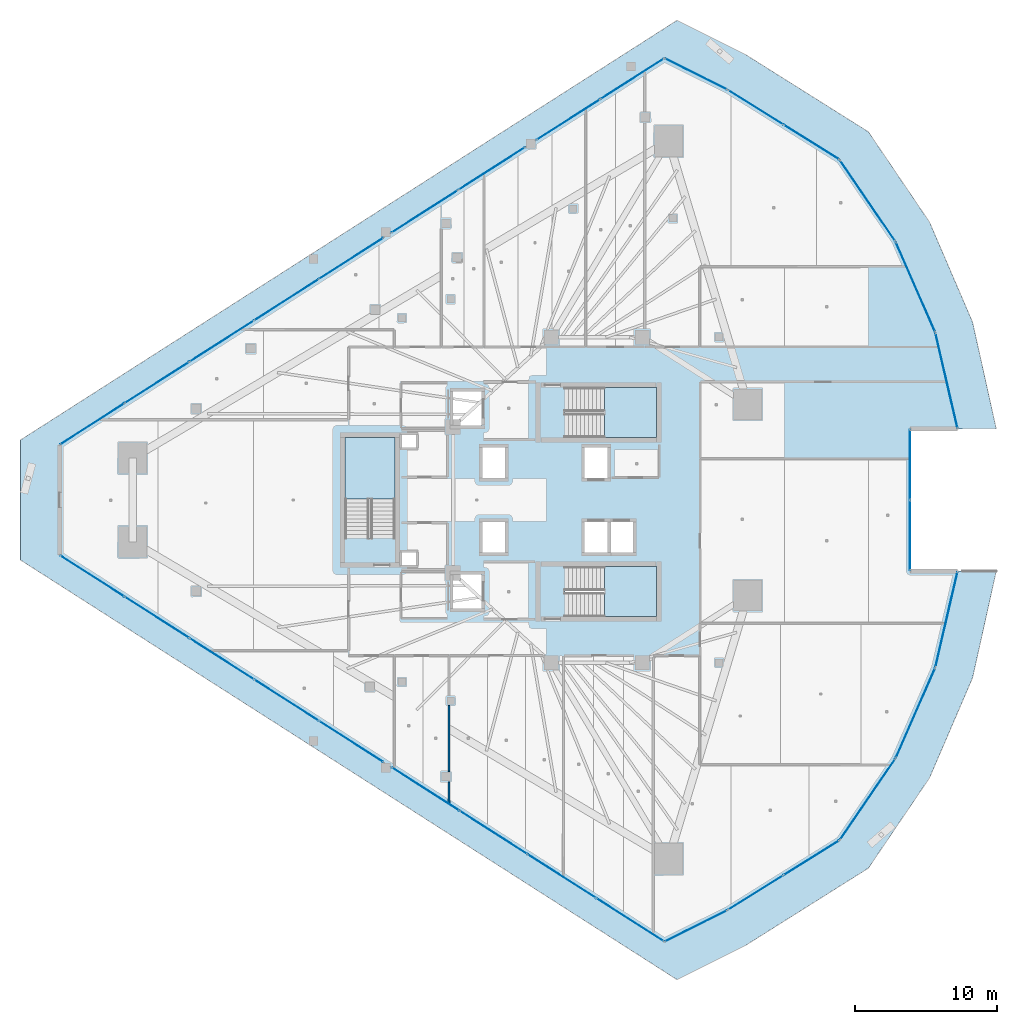
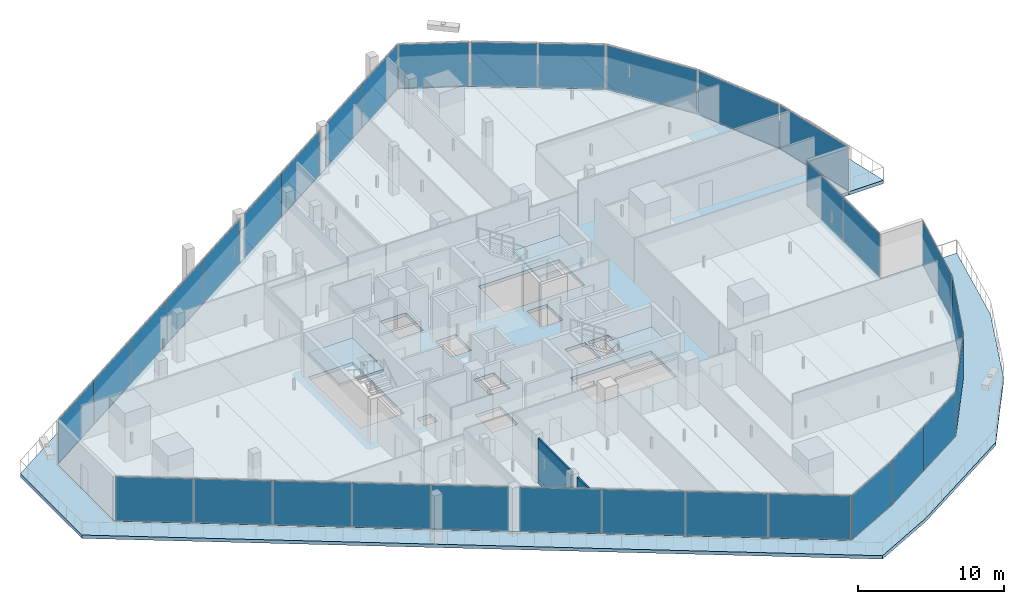
# One storey, part 28 of 44: 32 plates, 5 slabs, 2 walls, 19 elements without a shape of their own.
"""IFC4 building model written with IfcOpenShell, lengths in metres."""

import ifcopenshell
import ifcopenshell.guid

model = None  # the IFC model being written
_history = None  # IfcOwnerHistory: only IFC2X3 demands one
_inside = {}  # id of a spatial element -> (the spatial element, [elements in it])
_under = {}  # id of a project, library or spatial element -> (it, [spatial elements below it])
_declared = {}  # id of a project -> (the project, [libraries it declares])
_typed = {}  # id of a type object -> (the type object, [elements of that type])
_made_of = {}  # id of a material, layer set ... -> (it, [elements and type objects made of it])


def new_model(schema):
    """Start an empty IFC model of exactly this schema.

    Asked for "IFC4X3", IfcOpenShell would pick the latest addendum, in which some entities
    have other attributes; the version numbers below select the first issue.
    IFC2X3 requires an IfcOwnerHistory on every rooted entity: one is made here for all.
    """
    global model, _history
    if schema == "IFC4X3":
        model = ifcopenshell.file(schema_version=(4, 3, 0, 0))
    else:
        model = ifcopenshell.file(schema=schema)
    _inside.clear()
    _under.clear()
    _declared.clear()
    _typed.clear()
    _made_of.clear()
    _history = None
    if model.schema == "IFC2X3":
        org = make("IfcOrganization", Name="unknown")
        user = make(
            "IfcPersonAndOrganization",
            ThePerson=make("IfcPerson", FamilyName="unknown"),
            TheOrganization=org,
        )
        app = make(
            "IfcApplication",
            ApplicationDeveloper=org,
            Version="unknown",
            ApplicationFullName="unknown",
            ApplicationIdentifier="unknown",
        )
        _history = make(
            "IfcOwnerHistory",
            OwningUser=user,
            OwningApplication=app,
            ChangeAction="ADDED",
            CreationDate=0,
        )
    return model


def make(cls, **values):
    """One entity of the class cls with the attributes given. An attribute that is None is left unset."""
    return model.create_entity(
        cls, **{name: value for name, value in values.items() if value is not None}
    )


def rooted(cls, **values):
    """An entity with a GlobalId (a new one), such as an element, a storey or a relation."""
    return make(cls, GlobalId=ifcopenshell.guid.new(), OwnerHistory=_history, **values)


def si_unit(unit_type, name, prefix=None):
    """IfcSIUnit, for example si_unit("LENGTHUNIT", "METRE", prefix="MILLI")."""
    return make("IfcSIUnit", UnitType=unit_type, Prefix=prefix, Name=name)


def assignment(units):
    """IfcUnitAssignment: the units of a project."""
    return None if units is None else make("IfcUnitAssignment", Units=units)


def point(xyz):
    """IfcCartesianPoint."""
    return None if xyz is None else make("IfcCartesianPoint", Coordinates=xyz)


def direction(xyz):
    """IfcDirection."""
    return None if xyz is None else make("IfcDirection", DirectionRatios=xyz)


def frame(location, z_axis=None, x_axis=None):
    """IfcAxis2Placement3D, a coordinate frame: its origin and axes. An axis left out is left unset."""
    return make(
        "IfcAxis2Placement3D",
        Location=point(location),
        Axis=direction(z_axis),
        RefDirection=direction(x_axis),
    )


def frame_2d(location, x_axis=None):
    """IfcAxis2Placement2D, a coordinate frame in the plane: its origin and x axis."""
    return make(
        "IfcAxis2Placement2D", Location=point(location), RefDirection=direction(x_axis)
    )


def origin():
    """The frame at (0, 0, 0) with its axes left unset."""
    return frame((0.0, 0.0, 0.0))


def origin_2d():
    """The frame at (0, 0) in the plane with its x axis left unset."""
    return frame_2d((0.0, 0.0))


def place(relative_to, where):
    """IfcLocalPlacement: puts the frame where relative to a parent placement (None: the world)."""
    return make(
        "IfcLocalPlacement", PlacementRelTo=relative_to, RelativePlacement=where
    )


def context(
    kind, dimensions, precision=None, world=None, true_north=None, identifier=None
):
    """IfcGeometricRepresentationContext, for example the 3D "Model" context."""
    return make(
        "IfcGeometricRepresentationContext",
        ContextIdentifier=identifier,
        ContextType=kind,
        CoordinateSpaceDimension=dimensions,
        Precision=precision,
        WorldCoordinateSystem=world,
        TrueNorth=true_north,
    )


def subcontext(parent, identifier, kind, view, scale=None):
    """IfcGeometricRepresentationSubContext, for example "Body" below "Model"."""
    return make(
        "IfcGeometricRepresentationSubContext",
        ContextIdentifier=identifier,
        ContextType=kind,
        ParentContext=parent,
        TargetScale=scale,
        TargetView=view,
    )


def project(units=None, contexts=None):
    """IfcProject with its units and contexts."""
    return rooted(
        "IfcProject",
        Name="project",
        RepresentationContexts=contexts,
        UnitsInContext=assignment(units),
    )


def spatial(cls, under=None, at=None, **own):
    """A site, building, storey or space (cls), placed at a placement, below another one or the project."""
    s = rooted(cls, ObjectPlacement=at, **own)
    if under is not None:
        _under.setdefault(under.id(), (under, []))[1].append(s)
    return s


def polyline(points):
    """IfcPolyline through the points."""
    return make("IfcPolyline", Points=[point(p) for p in points])


def profile(cls, at=None, kind="AREA", **sizes):
    """A parametric profile (cls). Its sizes go by their IFC names, for example OverallWidth=200.0."""
    return make(cls, ProfileType=kind, Position=at, **sizes)


def rectangle(**sizes):
    """IfcRectangleProfileDef."""
    return profile("IfcRectangleProfileDef", **sizes)


def outline(outer, holes=None, kind="AREA"):
    """IfcArbitraryClosedProfileDef: a profile drawn as a closed curve; with holes, ...WithVoids."""
    if holes is None:
        return make("IfcArbitraryClosedProfileDef", ProfileType=kind, OuterCurve=outer)
    return make(
        "IfcArbitraryProfileDefWithVoids",
        ProfileType=kind,
        OuterCurve=outer,
        InnerCurves=holes,
    )


def extrude(swept, where, along, depth):
    """IfcExtrudedAreaSolid: the profile swept, set in the frame where, extruded along a direction by depth."""
    return make(
        "IfcExtrudedAreaSolid",
        SweptArea=swept,
        Position=where,
        ExtrudedDirection=direction(along),
        Depth=depth,
    )


def shape(context_of_items, identifier, shape_type, items):
    """IfcShapeRepresentation: the items that make up one representation, for example the "Body"."""
    return make(
        "IfcShapeRepresentation",
        ContextOfItems=context_of_items,
        RepresentationIdentifier=identifier,
        RepresentationType=shape_type,
        Items=items,
    )


def material(Name=None, Category=None):
    """IfcMaterial."""
    return make("IfcMaterial", Name=Name, Category=Category)


def layer(
    of_material, thickness, ventilated=None, Name=None, Category=None, Priority=None
):
    """IfcMaterialLayer: one layer of a wall or slab, of a material (None: an air gap)."""
    return make(
        "IfcMaterialLayer",
        Material=of_material,
        LayerThickness=thickness,
        IsVentilated=ventilated,
        Name=Name,
        Category=Category,
        Priority=Priority,
    )


def layer_set(layers, Name=None):
    """IfcMaterialLayerSet."""
    return make("IfcMaterialLayerSet", MaterialLayers=layers, LayerSetName=Name)


def made_of(thing, what):
    """Note that an element or type object is made of a material, layer set ...; save() writes the relation."""
    if what is not None:
        _made_of.setdefault(what.id(), (what, []))[1].append(thing)
    return thing


def type_object(cls, material=None, **own):
    """A type object (cls), such as IfcWallType, which elements share."""
    return made_of(rooted(cls, **own), material)


def element(
    cls,
    number,
    at=None,
    inside=None,
    cuts=None,
    type_object=None,
    material=None,
    context=None,
    identifier="Body",
    shape_type=None,
    held_by="IfcProductDefinitionShape",
    body=None,
    shapes=None,
    **own,
):
    """One element of the class cls, such as IfcWall. Its Tag is "e" and its number.

    at: its placement. inside: the storey or other place that contains it. cuts: it is an
    opening in that element (IfcRelVoidsElement). A single representation is given by context,
    identifier, shape_type and body (its items); several are given by shapes. held_by: the class
    of the entity that holds the representations. save() writes the other relations.
    """
    e = rooted(cls, Tag="e%d" % number, ObjectPlacement=at, **own)
    if body is not None:
        shapes = [shape(context, identifier, shape_type, body)]
    if shapes is not None:
        e.Representation = make(held_by, Representations=shapes)
    if inside is not None:
        _inside.setdefault(inside.id(), (inside, []))[1].append(e)
    if cuts is not None:
        rooted(
            "IfcRelVoidsElement", RelatingBuildingElement=cuts, RelatedOpeningElement=e
        )
    if type_object is not None:
        _typed.setdefault(type_object.id(), (type_object, []))[1].append(e)
    return made_of(e, material)


def aggregate(whole, parts):
    """IfcRelAggregates: a whole, such as a stair, and the parts it consists of."""
    return rooted("IfcRelAggregates", RelatingObject=whole, RelatedObjects=parts)


def save(model, path):
    """Write the relations noted so far, then the file.

    IfcRelAggregates (storeys below a building ...), IfcRelContainedInSpatialStructure (elements
    in a storey), IfcRelDefinesByType, IfcRelAssociatesMaterial and IfcRelDeclares: one each for
    every whole, place, type object, material and project.
    """
    for whole, parts in _under.values():
        aggregate(whole, parts)
    for where, things in _inside.values():
        rooted(
            "IfcRelContainedInSpatialStructure",
            RelatedElements=things,
            RelatingStructure=where,
        )
    for kind, things in _typed.values():
        rooted("IfcRelDefinesByType", RelatedObjects=things, RelatingType=kind)
    for what, things in _made_of.values():
        rooted("IfcRelAssociatesMaterial", RelatedObjects=things, RelatingMaterial=what)
    for by, libraries in _declared.values():
        rooted("IfcRelDeclares", RelatingContext=by, RelatedDefinitions=libraries)
    model.write(path)


model = new_model("IFC4")

# Units and contexts
model_context = context("Model", 3, precision=1e-05, world=origin(), true_north=direction((0.0, 1.0)))
body_context = subcontext(model_context, "Body", "Model", "MODEL_VIEW")
ifc_project = project(units=[si_unit("LENGTHUNIT", "METRE"), si_unit("AREAUNIT", "SQUARE_METRE"), si_unit("VOLUMEUNIT", "CUBIC_METRE"), si_unit("PLANEANGLEUNIT", "RADIAN"), si_unit("MASSUNIT", "GRAM", prefix="KILO")], contexts=[model_context])

# Site, building, storey
site_placement = place(None, origin())
site = spatial("IfcSite", under=ifc_project, at=site_placement, CompositionType="ELEMENT")
building_placement = place(site_placement, origin())
building = spatial("IfcBuilding", under=site, at=building_placement, Name="Qorvath Tower", CompositionType="ELEMENT")
storey_placement = place(building_placement, frame((0.0, 0.0, 113.85009765625)))
storey = spatial("IfcBuildingStorey", under=building, at=storey_placement, Name="L25", CompositionType="ELEMENT", Elevation=113.85009765625)

# Curtain wall, plates
ifc_material_1 = material(Name="Anodised aluminium and triple low-E glass", Category="aluminium")
ifc_layer_1 = layer(ifc_material_1, 0.179931640625)
ifc_layer_set_1 = layer_set([ifc_layer_1], Name="CW-SYS-2")
curtain_wall_type = type_object("IfcCurtainWallType", Name="CW-SYS-2", PredefinedType="NOTDEFINED", material=ifc_layer_set_1)
curtain_wall_1_placement = place(storey_placement, origin())
curtain_wall_1 = element("IfcCurtainWall", 1, at=curtain_wall_1_placement, inside=storey, type_object=curtain_wall_type, Name="Curtain Wall CW-2 CW-T-L25-2.1", PredefinedType="NOTDEFINED")
ifc_material_2 = material(Name="Low-E triple insulated glass", Category="glass")
ifc_layer_2 = layer(ifc_material_2, 0.031982421875)
ifc_layer_set_2 = layer_set([ifc_layer_2], Name="CWP-GLZ-32")
plate_type = type_object("IfcPlateType", Name="CWP-GLZ-32", PredefinedType="CURTAIN_PANEL", material=ifc_layer_set_2)
plate_1_placement = place(storey_placement, frame((-55.896484375, -5.35107421875, 0.06494140625), z_axis=(0.0, 0.0, 1.0), x_axis=(0.84260637131, -0.538529946269, 0.0)))
plate_1 = element("IfcPlate", 2, at=plate_1_placement, type_object=plate_type, Name="CW-2 panel 1.1", PredefinedType="CURTAIN_PANEL", context=body_context, shape_type="SweptSolid", body=[
    extrude(rectangle(XDim=5.315185546875, YDim=0.031982421875, at=origin_2d()), origin(), (0.0, 0.0, 1.0), 3.639892578125),
])
plate_2_placement = place(storey_placement, frame((-51.349365234375, -8.25732421875, 0.06494140625), z_axis=(0.0, 0.0, 1.0), x_axis=(0.84260637131, -0.538529946269, 0.0)))
plate_2 = element("IfcPlate", 3, at=plate_2_placement, type_object=plate_type, Name="CW-2 panel 2.1", PredefinedType="CURTAIN_PANEL", context=body_context, shape_type="SweptSolid", body=[
    extrude(rectangle(XDim=5.34765625, YDim=0.031982421875, at=origin_2d()), origin(), (0.0, 0.0, 1.0), 3.639892578125),
])
plate_3_placement = place(storey_placement, frame((-46.788818359375, -11.172119140625, 0.06494140625), z_axis=(0.0, 0.0, 1.0), x_axis=(0.84260637131, -0.538529946269, 0.0)))
plate_3 = element("IfcPlate", 4, at=plate_3_placement, type_object=plate_type, Name="CW-2 panel 3.1", PredefinedType="CURTAIN_PANEL", context=body_context, shape_type="SweptSolid", body=[
    extrude(rectangle(XDim=5.34765625, YDim=0.031982421875, at=origin_2d()), origin(), (0.0, 0.0, 1.0), 3.639892578125),
])
plate_4_placement = place(storey_placement, frame((-42.22802734375, -14.0869140625, 0.06494140625), z_axis=(0.0, 0.0, 1.0), x_axis=(0.84260637131, -0.538529946269, 0.0)))
plate_4 = element("IfcPlate", 5, at=plate_4_placement, type_object=plate_type, Name="CW-2 panel 4.1", PredefinedType="CURTAIN_PANEL", context=body_context, shape_type="SweptSolid", body=[
    extrude(rectangle(XDim=5.34765625, YDim=0.031982421875, at=origin_2d()), origin(), (0.0, 0.0, 1.0), 3.639892578125),
])
plate_5_placement = place(storey_placement, frame((-37.68115234375, -16.992919921875, 0.06494140625), z_axis=(0.0, 0.0, 1.0), x_axis=(0.84260637131, -0.538529946269, 0.0)))
plate_5 = element("IfcPlate", 6, at=plate_5_placement, type_object=plate_type, Name="CW-2 panel 5.1", PredefinedType="CURTAIN_PANEL", context=body_context, shape_type="SweptSolid", body=[
    extrude(rectangle(XDim=5.315185546875, YDim=0.031982421875, at=origin_2d()), origin(), (0.0, 0.0, 1.0), 3.639892578125),
])
aggregate(curtain_wall_1, [plate_1, plate_2, plate_3, plate_4, plate_5])

curtain_wall_2_placement = place(storey_placement, origin())
curtain_wall_2 = element("IfcCurtainWall", 7, at=curtain_wall_2_placement, inside=storey, type_object=curtain_wall_type, Name="Curtain Wall CW-2 CW-T-L25-2.2", PredefinedType="NOTDEFINED")
plate_6_placement = place(storey_placement, frame((-32.462646484375, -20.328125, 0.06494140625), z_axis=(0.0, 0.0, 1.0), x_axis=(0.842601047588, -0.538538275895, 0.0)))
plate_6 = element("IfcPlate", 8, at=plate_6_placement, type_object=plate_type, Name="CW-2 panel 1.1", PredefinedType="CURTAIN_PANEL", context=body_context, shape_type="SweptSolid", body=[
    extrude(rectangle(XDim=5.611572265625, YDim=0.031982421875, at=origin_2d()), origin(), (0.0, 0.0, 1.0), 3.639892578125),
])
plate_7_placement = place(storey_placement, frame((-27.666015625, -23.39404296875, 0.06494140625), z_axis=(0.0, 0.0, 1.0), x_axis=(0.842601047588, -0.538538275895, 0.0)))
plate_7 = element("IfcPlate", 9, at=plate_7_placement, type_object=plate_type, Name="CW-2 panel 2.1", PredefinedType="CURTAIN_PANEL", context=body_context, shape_type="SweptSolid", body=[
    extrude(rectangle(XDim=5.64404296875, YDim=0.031982421875, at=origin_2d()), origin(), (0.0, 0.0, 1.0), 3.639892578125),
])
plate_8_placement = place(storey_placement, frame((-22.85546875, -26.468505859375, 0.06494140625), z_axis=(0.0, 0.0, 1.0), x_axis=(0.842601047588, -0.538538275895, 0.0)))
plate_8 = element("IfcPlate", 10, at=plate_8_placement, type_object=plate_type, Name="CW-2 panel 3.1", PredefinedType="CURTAIN_PANEL", context=body_context, shape_type="SweptSolid", body=[
    extrude(rectangle(XDim=5.64404296875, YDim=0.031982421875, at=origin_2d()), origin(), (0.0, 0.0, 1.0), 3.639892578125),
])
plate_9_placement = place(storey_placement, frame((-18.058837890625, -29.5341796875, 0.06494140625), z_axis=(0.0, 0.0, 1.0), x_axis=(0.842601047588, -0.538538275895, 0.0)))
plate_9 = element("IfcPlate", 11, at=plate_9_placement, type_object=plate_type, Name="CW-2 panel 4.1", PredefinedType="CURTAIN_PANEL", context=body_context, shape_type="SweptSolid", body=[
    extrude(rectangle(XDim=5.611572265625, YDim=0.031982421875, at=origin_2d()), origin(), (0.0, 0.0, 1.0), 3.639892578125),
])
aggregate(curtain_wall_2, [plate_6, plate_7, plate_8, plate_9])

# Curtain wall, plate
curtain_wall_3_placement = place(storey_placement, origin())
curtain_wall_3 = element("IfcCurtainWall", 12, at=curtain_wall_3_placement, inside=storey, type_object=curtain_wall_type, Name="Curtain Wall CW-2 CW-T-L25-3.1", PredefinedType="NOTDEFINED")
plate_10_placement = place(storey_placement, frame((-13.419921875, -29.970458984375, 0.06494140625), z_axis=(0.0, 0.0, 1.0), x_axis=(0.89444330579, 0.447181364469, 0.0)))
plate_10 = element("IfcPlate", 13, at=plate_10_placement, type_object=plate_type, Name="CW-2 panel 1.1", PredefinedType="CURTAIN_PANEL", context=body_context, shape_type="SweptSolid", body=[
    extrude(rectangle(XDim=4.834228515625, YDim=0.031982421875, at=origin_2d()), origin(), (0.0, 0.0, 1.0), 3.639892578125),
])
aggregate(curtain_wall_3, [plate_10])

# Curtain wall, plates
curtain_wall_4_placement = place(storey_placement, origin())
curtain_wall_4 = element("IfcCurtainWall", 14, at=curtain_wall_4_placement, inside=storey, type_object=curtain_wall_type, Name="Curtain Wall CW-2 CW-T-L25-4.1", PredefinedType="NOTDEFINED")
plate_11_placement = place(storey_placement, frame((-9.213134765625, -27.6201171875, 0.06494140625), z_axis=(0.0, 0.0, 1.0), x_axis=(0.848279601818, 0.529548597524, 0.0)))
plate_11 = element("IfcPlate", 15, at=plate_11_placement, type_object=plate_type, Name="CW-2 panel 1.1", PredefinedType="CURTAIN_PANEL", context=body_context, shape_type="SweptSolid", body=[
    extrude(rectangle(XDim=4.553955078125, YDim=0.031982421875, at=origin_2d()), origin(), (0.0, 0.0, 1.0), 3.639892578125),
])
plate_12_placement = place(storey_placement, frame((-5.294921875, -25.17431640625, 0.06494140625), z_axis=(0.0, 0.0, 1.0), x_axis=(0.848279601818, 0.529548597524, 0.0)))
plate_12 = element("IfcPlate", 16, at=plate_12_placement, type_object=plate_type, Name="CW-2 panel 2.1", PredefinedType="CURTAIN_PANEL", context=body_context, shape_type="SweptSolid", body=[
    extrude(rectangle(XDim=4.553955078125, YDim=0.031982421875, at=origin_2d()), origin(), (0.0, 0.0, 1.0), 3.639892578125),
])
aggregate(curtain_wall_4, [plate_11, plate_12])

# Curtain wall, plate
curtain_wall_5_placement = place(storey_placement, origin())
curtain_wall_5 = element("IfcCurtainWall", 17, at=curtain_wall_5_placement, inside=storey, type_object=curtain_wall_type, Name="Curtain Wall CW-2 CW-T-L25-5.1", PredefinedType="NOTDEFINED")
plate_13_placement = place(storey_placement, frame((-1.343017578125, -21.0576171875, 0.06494140625), z_axis=(0.0, 0.0, 1.0), x_axis=(0.564116800019, 0.825695001763, 0.0)))
plate_13 = element("IfcPlate", 18, at=plate_13_placement, type_object=plate_type, Name="CW-2 panel 1.1", PredefinedType="CURTAIN_PANEL", context=body_context, shape_type="SweptSolid", body=[
    extrude(rectangle(XDim=6.837646484375, YDim=0.031982421875, at=origin_2d()), origin(), (0.0, 0.0, 1.0), 3.639892578125),
])
aggregate(curtain_wall_5, [plate_13])

curtain_wall_6_placement = place(storey_placement, origin())
curtain_wall_6 = element("IfcCurtainWall", 19, at=curtain_wall_6_placement, inside=storey, type_object=curtain_wall_type, Name="Curtain Wall CW-2 CW-T-L25-6.1", PredefinedType="NOTDEFINED")
plate_14_placement = place(storey_placement, frame((2.021240234375, -14.990234375, 0.06494140625), z_axis=(0.0, 0.0, 1.0), x_axis=(0.401585895161, 0.915821362935, 0.0)))
plate_14 = element("IfcPlate", 20, at=plate_14_placement, type_object=plate_type, Name="CW-2 panel 1.1", PredefinedType="CURTAIN_PANEL", context=body_context, shape_type="SweptSolid", body=[
    extrude(rectangle(XDim=6.837646484375, YDim=0.031982421875, at=origin_2d()), origin(), (0.0, 0.0, 1.0), 3.639892578125),
])
aggregate(curtain_wall_6, [plate_14])

curtain_wall_7_placement = place(storey_placement, origin())
curtain_wall_7 = element("IfcCurtainWall", 21, at=curtain_wall_7_placement, inside=storey, type_object=curtain_wall_type, Name="Curtain Wall CW-2 CW-T-L25-7.1", PredefinedType="NOTDEFINED")
plate_15_placement = place(storey_placement, frame((4.204833984375, -8.405517578125, 0.06494140625), z_axis=(0.0, 0.0, 1.0), x_axis=(0.225200155801, 0.974312521641, 0.0)))
plate_15 = element("IfcPlate", 22, at=plate_15_placement, type_object=plate_type, Name="CW-2 panel 1.1", PredefinedType="CURTAIN_PANEL", context=body_context, shape_type="SweptSolid", body=[
    extrude(rectangle(XDim=6.837646484375, YDim=0.031982421875, at=origin_2d()), origin(), (0.0, 0.0, 1.0), 3.639892578125),
])
aggregate(curtain_wall_7, [plate_15])

# Curtain wall, plates
curtain_wall_8_placement = place(storey_placement, origin())
curtain_wall_8 = element("IfcCurtainWall", 23, at=curtain_wall_8_placement, inside=storey, type_object=curtain_wall_type, Name="Curtain Wall CW-2 CW-T-L25-9.1", PredefinedType="NOTDEFINED")
plate_16_placement = place(storey_placement, frame((1.648681640625, -2.4892578125, 0.06494140625), z_axis=(0.0, 0.0, 1.0), x_axis=(0.0, 1.0, 0.0)))
plate_16 = element("IfcPlate", 24, at=plate_16_placement, type_object=plate_type, Name="CW-2 panel 1.1", PredefinedType="CURTAIN_PANEL", context=body_context, shape_type="SweptSolid", body=[
    extrude(rectangle(XDim=4.913818359375, YDim=0.031982421875, at=origin_2d()), origin(), (0.0, 0.0, 1.0), 3.639892578125),
])
plate_17_placement = place(storey_placement, frame((1.648681640625, 2.4892578125, 0.06494140625), z_axis=(0.0, 0.0, 1.0), x_axis=(0.0, 1.0, 0.0)))
plate_17 = element("IfcPlate", 25, at=plate_17_placement, type_object=plate_type, Name="CW-2 panel 2.1", PredefinedType="CURTAIN_PANEL", context=body_context, shape_type="SweptSolid", body=[
    extrude(rectangle(XDim=4.913818359375, YDim=0.031982421875, at=origin_2d()), origin(), (0.0, 0.0, 1.0), 3.639892578125),
])
aggregate(curtain_wall_8, [plate_16, plate_17])

# Curtain wall, plate
curtain_wall_9_placement = place(storey_placement, origin())
curtain_wall_9 = element("IfcCurtainWall", 26, at=curtain_wall_9_placement, inside=storey, type_object=curtain_wall_type, Name="Curtain Wall CW-2 CW-T-L25-11.1", PredefinedType="NOTDEFINED")
plate_18_placement = place(storey_placement, frame((4.204833984375, 8.405517578125, 0.06494140625), z_axis=(0.0, 0.0, 1.0), x_axis=(-0.225200155801, 0.974312521641, 0.0)))
plate_18 = element("IfcPlate", 27, at=plate_18_placement, type_object=plate_type, Name="CW-2 panel 1.1", PredefinedType="CURTAIN_PANEL", context=body_context, shape_type="SweptSolid", body=[
    extrude(rectangle(XDim=6.837646484375, YDim=0.031982421875, at=origin_2d()), origin(), (0.0, 0.0, 1.0), 3.639892578125),
])
aggregate(curtain_wall_9, [plate_18])

curtain_wall_10_placement = place(storey_placement, origin())
curtain_wall_10 = element("IfcCurtainWall", 28, at=curtain_wall_10_placement, inside=storey, type_object=curtain_wall_type, Name="Curtain Wall CW-2 CW-T-L25-12.1", PredefinedType="NOTDEFINED")
plate_19_placement = place(storey_placement, frame((2.021240234375, 14.990234375, 0.06494140625), z_axis=(0.0, 0.0, 1.0), x_axis=(-0.401585895161, 0.915821362935, 0.0)))
plate_19 = element("IfcPlate", 29, at=plate_19_placement, type_object=plate_type, Name="CW-2 panel 1.1", PredefinedType="CURTAIN_PANEL", context=body_context, shape_type="SweptSolid", body=[
    extrude(rectangle(XDim=6.837646484375, YDim=0.031982421875, at=origin_2d()), origin(), (0.0, 0.0, 1.0), 3.639892578125),
])
aggregate(curtain_wall_10, [plate_19])

curtain_wall_11_placement = place(storey_placement, origin())
curtain_wall_11 = element("IfcCurtainWall", 30, at=curtain_wall_11_placement, inside=storey, type_object=curtain_wall_type, Name="Curtain Wall CW-2 CW-T-L25-13.1", PredefinedType="NOTDEFINED")
plate_20_placement = place(storey_placement, frame((-1.343017578125, 21.0576171875, 0.06494140625), z_axis=(0.0, 0.0, 1.0), x_axis=(-0.564116800019, 0.825695001763, 0.0)))
plate_20 = element("IfcPlate", 31, at=plate_20_placement, type_object=plate_type, Name="CW-2 panel 1.1", PredefinedType="CURTAIN_PANEL", context=body_context, shape_type="SweptSolid", body=[
    extrude(rectangle(XDim=6.837646484375, YDim=0.031982421875, at=origin_2d()), origin(), (0.0, 0.0, 1.0), 3.639892578125),
])
aggregate(curtain_wall_11, [plate_20])

# Curtain wall, plates
curtain_wall_12_placement = place(storey_placement, origin())
curtain_wall_12 = element("IfcCurtainWall", 32, at=curtain_wall_12_placement, inside=storey, type_object=curtain_wall_type, Name="Curtain Wall CW-2 CW-T-L25-14.1", PredefinedType="NOTDEFINED")
plate_21_placement = place(storey_placement, frame((-5.294921875, 25.17431640625, 0.06494140625), z_axis=(0.0, 0.0, 1.0), x_axis=(-0.848279601818, 0.529548597524, 0.0)))
plate_21 = element("IfcPlate", 33, at=plate_21_placement, type_object=plate_type, Name="CW-2 panel 1.1", PredefinedType="CURTAIN_PANEL", context=body_context, shape_type="SweptSolid", body=[
    extrude(rectangle(XDim=4.553955078125, YDim=0.031982421875, at=origin_2d()), origin(), (0.0, 0.0, 1.0), 3.639892578125),
])
plate_22_placement = place(storey_placement, frame((-9.213134765625, 27.6201171875, 0.06494140625), z_axis=(0.0, 0.0, 1.0), x_axis=(-0.848279601818, 0.529548597524, 0.0)))
plate_22 = element("IfcPlate", 34, at=plate_22_placement, type_object=plate_type, Name="CW-2 panel 2.1", PredefinedType="CURTAIN_PANEL", context=body_context, shape_type="SweptSolid", body=[
    extrude(rectangle(XDim=4.553955078125, YDim=0.031982421875, at=origin_2d()), origin(), (0.0, 0.0, 1.0), 3.639892578125),
])
aggregate(curtain_wall_12, [plate_21, plate_22])

# Curtain wall, plate
curtain_wall_13_placement = place(storey_placement, origin())
curtain_wall_13 = element("IfcCurtainWall", 35, at=curtain_wall_13_placement, inside=storey, type_object=curtain_wall_type, Name="Curtain Wall CW-2 CW-T-L25-15.1", PredefinedType="NOTDEFINED")
plate_23_placement = place(storey_placement, frame((-13.419921875, 29.970458984375, 0.06494140625), z_axis=(0.0, 0.0, 1.0), x_axis=(-0.89444330579, 0.447181364469, 0.0)))
plate_23 = element("IfcPlate", 36, at=plate_23_placement, type_object=plate_type, Name="CW-2 panel 1.1", PredefinedType="CURTAIN_PANEL", context=body_context, shape_type="SweptSolid", body=[
    extrude(rectangle(XDim=4.834228515625, YDim=0.031982421875, at=origin_2d()), origin(), (0.0, 0.0, 1.0), 3.639892578125),
])
aggregate(curtain_wall_13, [plate_23])

# Curtain wall, plates
curtain_wall_14_placement = place(storey_placement, origin())
curtain_wall_14 = element("IfcCurtainWall", 37, at=curtain_wall_14_placement, inside=storey, type_object=curtain_wall_type, Name="Curtain Wall CW-2 CW-T-L25-16.1", PredefinedType="NOTDEFINED")
plate_24_placement = place(storey_placement, frame((-17.910400390625, 29.629150390625, 0.06494140625), z_axis=(0.0, 0.0, 1.0), x_axis=(-0.842604496528, -0.538532879619, 0.0)))
plate_24 = element("IfcPlate", 38, at=plate_24_placement, type_object=plate_type, Name="CW-2 panel 1.1", PredefinedType="CURTAIN_PANEL", context=body_context, shape_type="SweptSolid", body=[
    extrude(rectangle(XDim=5.259521484375, YDim=0.031982421875, at=origin_2d()), origin(), (0.0, 0.0, 1.0), 3.639892578125),
])
plate_25_placement = place(storey_placement, frame((-22.39697265625, 26.76171875, 0.06494140625), z_axis=(0.0, 0.0, 1.0), x_axis=(-0.842604496528, -0.538532879619, 0.0)))
plate_25 = element("IfcPlate", 39, at=plate_25_placement, type_object=plate_type, Name="CW-2 panel 2.1", PredefinedType="CURTAIN_PANEL", context=body_context, shape_type="SweptSolid", body=[
    extrude(rectangle(XDim=5.259521484375, YDim=0.031982421875, at=origin_2d()), origin(), (0.0, 0.0, 1.0), 3.639892578125),
])
aggregate(curtain_wall_14, [plate_24, plate_25])

curtain_wall_15_placement = place(storey_placement, origin())
curtain_wall_15 = element("IfcCurtainWall", 40, at=curtain_wall_15_placement, inside=storey, type_object=curtain_wall_type, Name="Curtain Wall CW-2 CW-T-L25-16.2", PredefinedType="NOTDEFINED")
plate_26_placement = place(storey_placement, frame((-27.789794921875, 23.31494140625, 0.06494140625), z_axis=(0.0, 0.0, 1.0), x_axis=(-0.84259816938, -0.538542779135, 0.0)))
plate_26 = element("IfcPlate", 41, at=plate_26_placement, type_object=plate_type, Name="CW-2 panel 1.1", PredefinedType="CURTAIN_PANEL", context=body_context, shape_type="SweptSolid", body=[
    extrude(rectangle(XDim=5.5244140625, YDim=0.031982421875, at=origin_2d()), origin(), (0.0, 0.0, 1.0), 3.639892578125),
])
plate_27_placement = place(storey_placement, frame((-32.49951171875, 20.3046875, 0.06494140625), z_axis=(0.0, 0.0, 1.0), x_axis=(-0.84259816938, -0.538542779135, 0.0)))
plate_27 = element("IfcPlate", 42, at=plate_27_placement, type_object=plate_type, Name="CW-2 panel 2.1", PredefinedType="CURTAIN_PANEL", context=body_context, shape_type="SweptSolid", body=[
    extrude(rectangle(XDim=5.5244140625, YDim=0.031982421875, at=origin_2d()), origin(), (0.0, 0.0, 1.0), 3.639892578125),
])
aggregate(curtain_wall_15, [plate_26, plate_27])

curtain_wall_16_placement = place(storey_placement, origin())
curtain_wall_16 = element("IfcCurtainWall", 43, at=curtain_wall_16_placement, inside=storey, type_object=curtain_wall_type, Name="Curtain Wall CW-2 CW-T-L25-16.3", PredefinedType="NOTDEFINED")
plate_28_placement = place(storey_placement, frame((-37.68115234375, 16.992919921875, 0.06494140625), z_axis=(0.0, 0.0, 1.0), x_axis=(-0.84260637131, -0.538529946269, 0.0)))
plate_28 = element("IfcPlate", 44, at=plate_28_placement, type_object=plate_type, Name="CW-2 panel 1.1", PredefinedType="CURTAIN_PANEL", context=body_context, shape_type="SweptSolid", body=[
    extrude(rectangle(XDim=5.315185546875, YDim=0.031982421875, at=origin_2d()), origin(), (0.0, 0.0, 1.0), 3.639892578125),
])
plate_29_placement = place(storey_placement, frame((-42.22802734375, 14.0869140625, 0.06494140625), z_axis=(0.0, 0.0, 1.0), x_axis=(-0.84260637131, -0.538529946269, 0.0)))
plate_29 = element("IfcPlate", 45, at=plate_29_placement, type_object=plate_type, Name="CW-2 panel 2.1", PredefinedType="CURTAIN_PANEL", context=body_context, shape_type="SweptSolid", body=[
    extrude(rectangle(XDim=5.34765625, YDim=0.031982421875, at=origin_2d()), origin(), (0.0, 0.0, 1.0), 3.639892578125),
])
plate_30_placement = place(storey_placement, frame((-46.788818359375, 11.172119140625, 0.06494140625), z_axis=(0.0, 0.0, 1.0), x_axis=(-0.84260637131, -0.538529946269, 0.0)))
plate_30 = element("IfcPlate", 46, at=plate_30_placement, type_object=plate_type, Name="CW-2 panel 3.1", PredefinedType="CURTAIN_PANEL", context=body_context, shape_type="SweptSolid", body=[
    extrude(rectangle(XDim=5.34765625, YDim=0.031982421875, at=origin_2d()), origin(), (0.0, 0.0, 1.0), 3.639892578125),
])
plate_31_placement = place(storey_placement, frame((-51.349365234375, 8.25732421875, 0.06494140625), z_axis=(0.0, 0.0, 1.0), x_axis=(-0.84260637131, -0.538529946269, 0.0)))
plate_31 = element("IfcPlate", 47, at=plate_31_placement, type_object=plate_type, Name="CW-2 panel 4.1", PredefinedType="CURTAIN_PANEL", context=body_context, shape_type="SweptSolid", body=[
    extrude(rectangle(XDim=5.34765625, YDim=0.031982421875, at=origin_2d()), origin(), (0.0, 0.0, 1.0), 3.639892578125),
])
plate_32_placement = place(storey_placement, frame((-55.896484375, 5.35107421875, 0.06494140625), z_axis=(0.0, 0.0, 1.0), x_axis=(-0.84260637131, -0.538529946269, 0.0)))
plate_32 = element("IfcPlate", 48, at=plate_32_placement, type_object=plate_type, Name="CW-2 panel 5.1", PredefinedType="CURTAIN_PANEL", context=body_context, shape_type="SweptSolid", body=[
    extrude(rectangle(XDim=5.315185546875, YDim=0.031982421875, at=origin_2d()), origin(), (0.0, 0.0, 1.0), 3.639892578125),
])
aggregate(curtain_wall_16, [plate_28, plate_29, plate_30, plate_31, plate_32])

# Stair, slab
ifc_material_3 = material(Name="Concrete C50/60", Category="concrete")
stair_type = type_object("IfcStairType", Name="ST-H405", PredefinedType="HALF_TURN_STAIR", material=ifc_material_3)
stair_1_placement = place(storey_placement, origin())
stair_1 = element("IfcStair", 49, at=stair_1_placement, inside=storey, type_object=stair_type, Name="L25 Tower Exit Stair 1", PredefinedType="HALF_TURN_STAIR")
ifc_material_4 = material(Name="Concrete C50/60", Category="concrete")
ifc_layer_3 = layer(ifc_material_4, 0.199951171875)
ifc_layer_set_3 = layer_set([ifc_layer_3], Name="SL-LND-200")
slab_type_1 = type_object("IfcSlabType", Name="SL-LND-200", PredefinedType="LANDING", material=ifc_layer_set_3)
slab_1_placement = place(storey_placement, frame((0.0, 0.0, 1.824951171875)))
slab_1 = element("IfcSlab", 50, at=slab_1_placement, type_object=slab_type_1, Name="TS1 landing 1", PredefinedType="LANDING", context=body_context, shape_type="SweptSolid", body=[
    extrude(outline(polyline([(-19.8701171875, 4.39990234375), (-16.199951171875, 4.39990234375), (-16.199951171875, 7.909912109375), (-19.8701171875, 7.909912109375), (-19.8701171875, 4.39990234375)])), origin(), (0.0, 0.0, 1.0), 0.199951171875),
])
aggregate(stair_1, [slab_1])

stair_2_placement = place(storey_placement, origin())
stair_2 = element("IfcStair", 51, at=stair_2_placement, inside=storey, type_object=stair_type, Name="L25 Tower Exit Stair 2", PredefinedType="HALF_TURN_STAIR")
slab_2_placement = place(storey_placement, frame((0.0, 0.0, 1.824951171875)))
slab_2 = element("IfcSlab", 52, at=slab_2_placement, type_object=slab_type_1, Name="TS2 landing 1", PredefinedType="LANDING", context=body_context, shape_type="SweptSolid", body=[
    extrude(outline(polyline([(-19.8701171875, -8.199951171875), (-16.199951171875, -8.199951171875), (-16.199951171875, -4.68994140625), (-19.8701171875, -4.68994140625), (-19.8701171875, -8.199951171875)])), origin(), (0.0, 0.0, 1.0), 0.199951171875),
])
aggregate(stair_2, [slab_2])

stair_3_placement = place(storey_placement, origin())
stair_3 = element("IfcStair", 53, at=stair_3_placement, inside=storey, type_object=stair_type, Name="L25 Tower Exit Stair 3", PredefinedType="HALF_TURN_STAIR")
slab_3_placement = place(storey_placement, frame((0.0, 0.0, 1.824951171875)))
slab_3 = element("IfcSlab", 54, at=slab_3_placement, type_object=slab_type_1, Name="TS3 landing 1", PredefinedType="LANDING", context=body_context, shape_type="SweptSolid", body=[
    extrude(outline(polyline([(-34.60009765625, 0.080078125), (-34.60009765625, 4.39990234375), (-38.110107421875, 4.39990234375), (-38.110107421875, 0.080078125), (-34.60009765625, 0.080078125)])), origin(), (0.0, 0.0, 1.0), 0.199951171875),
])
aggregate(stair_3, [slab_3])

# Slabs
ifc_material_5 = material(Name="Precast concrete C45/55", Category="concrete")
ifc_layer_4 = layer(ifc_material_5, 0.280029296875)
ifc_layer_set_4 = layer_set([ifc_layer_4], Name="SL-LOG-280")
slab_type_2 = type_object("IfcSlabType", Name="SL-LOG-280", PredefinedType="FLOOR", material=ifc_layer_set_4)
slab_4_placement = place(storey_placement, frame((0.0, 0.0, -0.280029296875)))
element("IfcSlab", 55, at=slab_4_placement, inside=storey, type_object=slab_type_2, Name="Tower L25 Perimeter Loggia and Terrace Slab", PredefinedType="FLOOR", context=body_context, shape_type="SweptSolid", body=[
    extrude(outline(polyline([(4.989501953125, -5.01123046875), (3.42041015625, -11.7998046875), (0.622314453125, -18.180908203125), (-3.308349609375, -23.93408203125), (-11.19970703125, -28.8603515625), (-15.639892578125, -31.080322265625), (-58.1904296875, -3.885009765625), (-58.1904296875, 3.885009765625), (-15.639892578125, 31.080322265625), (-11.19970703125, 28.8603515625), (-3.308349609375, 23.93408203125), (0.622314453125, 18.180908203125), (3.42041015625, 11.7998046875), (4.989501953125, 5.01123046875), (7.70556640625, 5.01123046875), (6.04736328125, 12.503662109375), (3.0126953125, 19.5517578125), (-1.291015625, 25.9052734375), (-9.92919921875, 31.337890625), (-14.75048828125, 33.74853515625), (-60.953857421875, 4.218505859375), (-60.953857421875, -4.218505859375), (-14.75048828125, -33.74853515625), (-9.92919921875, -31.337890625), (-1.291015625, -25.9052734375), (3.0126953125, -19.5517578125), (6.04736328125, -12.503662109375), (7.70556640625, -5.01123046875), (4.989501953125, -5.01123046875)])), origin(), (0.0, 0.0, 1.0), 0.280029296875),
])
ifc_material_6 = material(Name="Concrete C45/55", Category="concrete")
ifc_layer_5 = layer(ifc_material_6, 0.280029296875)
ifc_layer_set_5 = layer_set([ifc_layer_5], Name="SL-TYP-280")
slab_type_3 = type_object("IfcSlabType", Name="SL-TYP-280", PredefinedType="FLOOR", material=ifc_layer_set_5)
slab_5_placement = place(storey_placement, frame((0.0, 0.0, -0.280029296875)))
element("IfcSlab", 56, at=slab_5_placement, inside=storey, type_object=slab_type_3, Name="Tower L25 Interior Floor Slab", PredefinedType="FLOOR", context=body_context, shape_type="SweptSolid", body=[
    extrude(outline(polyline([(-58.1904296875, 3.885009765625), (-58.1904296875, -3.885009765625), (-15.639892578125, -31.080322265625), (-11.19970703125, -28.8603515625), (-3.308349609375, -23.93408203125), (0.622314453125, -18.180908203125), (3.42041015625, -11.7998046875), (4.989501953125, -5.01123046875), (1.648681640625, -5.01123046875), (1.648681640625, 5.01123046875), (4.989501953125, 5.01123046875), (3.42041015625, 11.7998046875), (0.622314453125, 18.180908203125), (-3.308349609375, 23.93408203125), (-11.19970703125, 28.8603515625), (-15.639892578125, 31.080322265625), (-58.1904296875, 3.885009765625)]), holes=[polyline([(-16.2451171875, -8.199951171875), (-22.625, -8.199951171875), (-22.625, -4.68994140625), (-16.2451171875, -4.68994140625), (-16.2451171875, -8.199951171875)]), polyline([(-22.625, 4.39990234375), (-22.625, 7.909912109375), (-16.2451171875, 7.909912109375), (-16.2451171875, 4.39990234375), (-22.625, 4.39990234375)]), polyline([(-17.85009765625, -3.699951171875), (-19.449951171875, -3.699951171875), (-19.449951171875, -1.550048828125), (-17.85009765625, -1.550048828125), (-17.85009765625, -3.699951171875)]), polyline([(-21.25, -3.699951171875), (-21.25, -1.550048828125), (-19.64990234375, -1.550048828125), (-19.64990234375, -3.699951171875), (-21.25, -3.699951171875)]), polyline([(-21.25, 1.550048828125), (-21.25, 3.699951171875), (-19.64990234375, 3.699951171875), (-19.64990234375, 1.550048828125), (-21.25, 1.550048828125)]), polyline([(-28.449951171875, -3.699951171875), (-28.449951171875, -1.550048828125), (-26.85009765625, -1.550048828125), (-26.85009765625, -3.699951171875), (-28.449951171875, -3.699951171875)]), polyline([(-26.85009765625, 1.550048828125), (-28.449951171875, 1.550048828125), (-28.449951171875, 3.699951171875), (-26.85009765625, 3.699951171875), (-26.85009765625, 1.550048828125)]), polyline([(-28.5, -7.64990234375), (-30.5, -7.64990234375), (-30.5, -5.25), (-28.5, -5.25), (-28.5, -7.64990234375)]), polyline([(-30.5, 5.25), (-30.5, 7.64990234375), (-28.5, 7.64990234375), (-28.5, 5.25), (-30.5, 5.25)]), polyline([(-34.14990234375, -4.6201171875), (-34.14990234375, -3.64990234375), (-33.10009765625, -3.64990234375), (-33.10009765625, -4.6201171875), (-34.14990234375, -4.6201171875)]), polyline([(-34.14990234375, 3.64990234375), (-34.14990234375, 4.6201171875), (-33.10009765625, 4.6201171875), (-33.10009765625, 3.64990234375), (-34.14990234375, 3.64990234375)]), polyline([(-34.60009765625, -2.675048828125), (-38.110107421875, -2.675048828125), (-38.110107421875, 4.35498046875), (-34.60009765625, 4.35498046875), (-34.60009765625, -2.675048828125)])]), origin(), (0.0, 0.0, 1.0), 0.280029296875),
])

# Walls
ifc_material_7 = material(Name="Gypsum board on metal studs with mineral wool", Category="gypsum")
ifc_layer_6 = layer(ifc_material_7, 0.125)
ifc_layer_set_6 = layer_set([ifc_layer_6], Name="IW-PART-125")
wall_type = type_object("IfcWallType", Name="IW-PART-125", PredefinedType="PARTITIONING", material=ifc_layer_set_6)
wall_1_placement = place(storey_placement, frame((-30.791748046875, -21.31640625, 0.0), z_axis=(0.0, 0.0, 1.0), x_axis=(0.0, 1.0, 0.0)))
element("IfcWall", 57, at=wall_1_placement, inside=storey, type_object=wall_type, Name="Interior Partition IW-T1-L25-037", PredefinedType="PARTITIONING", context=body_context, shape_type="SweptSolid", body=[
    extrude(rectangle(XDim=1.466064453125, YDim=0.125, at=frame_2d((0.73291015625, 0.0))), origin(), (0.0, 0.0, 1.0), 3.77001953125),
])
wall_2_placement = place(storey_placement, frame((-30.791748046875, -19.0703125, 0.0), z_axis=(0.0, 0.0, 1.0), x_axis=(0.0, 1.0, 0.0)))
element("IfcWall", 58, at=wall_2_placement, inside=storey, type_object=wall_type, Name="Interior Partition IW-T1-L25-038", PredefinedType="PARTITIONING", context=body_context, shape_type="SweptSolid", body=[
    extrude(rectangle(XDim=4.60595703125, YDim=0.125, at=frame_2d((2.302978515625, 0.0))), origin(), (0.0, 0.0, 1.0), 3.77001953125),
])

save(model, "model.ifc")
